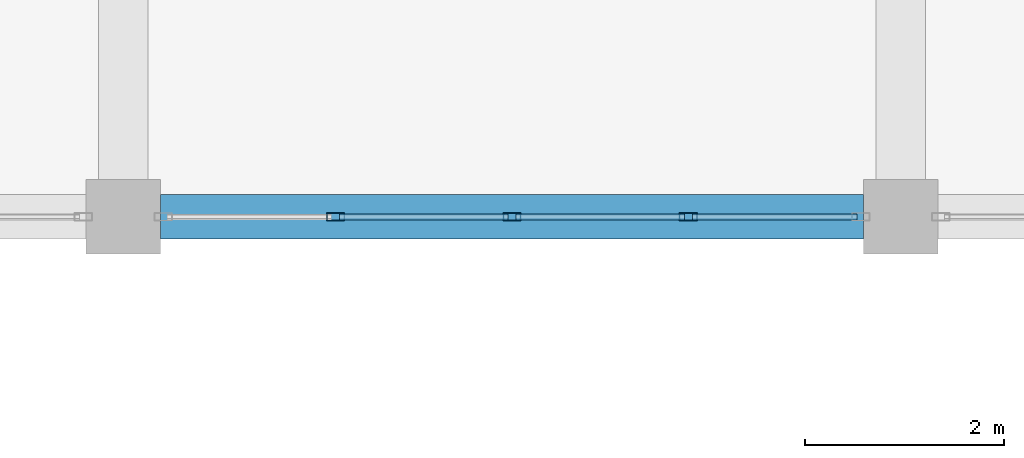
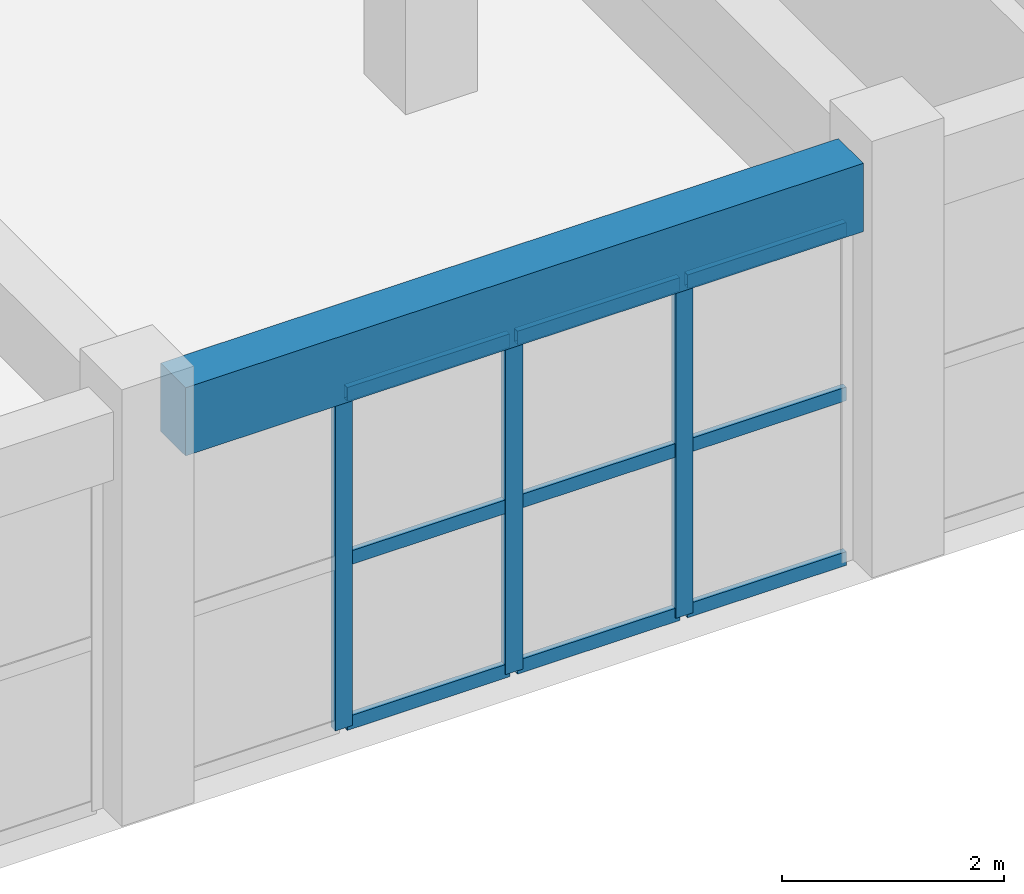
# One storey, part 78 of 175: 12 members, 1 beam, 1 element without a shape of its own.
"""IFC4 building model written with IfcOpenShell, lengths in metres."""

from ifc_helpers import new_model, si_unit, direction, frame, origin, origin_2d, place, context, subcontext, project, spatial, rectangle, hollow_rectangle, extrude, material, layer, layer_set, material_profile, profile_set, type_object, element, aggregate, save


model = new_model("IFC4")

# Units and contexts
model_context = context("Model", 3, precision=1e-05, world=origin(), true_north=direction((0.0, 1.0)))
body_context = subcontext(model_context, "Body", "Model", "MODEL_VIEW")
ifc_project = project(units=[si_unit("LENGTHUNIT", "METRE"), si_unit("AREAUNIT", "SQUARE_METRE"), si_unit("VOLUMEUNIT", "CUBIC_METRE"), si_unit("PLANEANGLEUNIT", "RADIAN"), si_unit("MASSUNIT", "GRAM", prefix="KILO")], contexts=[model_context])

# Site, building, storey
site_placement = place(None, origin())
site = spatial("IfcSite", under=ifc_project, at=site_placement, CompositionType="ELEMENT")
building_placement = place(site_placement, origin())
building = spatial("IfcBuilding", under=site, at=building_placement, Name="Zizhar Promenade General Hospital", CompositionType="ELEMENT")
storey_placement = place(building_placement, frame((0.0, 0.0, 4.800048828125)))
storey = spatial("IfcBuildingStorey", under=building, at=storey_placement, Name="L01", CompositionType="ELEMENT", Elevation=4.800048828125)

# Beam
ifc_material_1 = material(Name="Concrete C35/45", Category="concrete")
ifc_material_profile_1 = material_profile(ifc_material_1, rectangle(XDim=0.449951171875, YDim=0.75, at=origin_2d()))
ifc_profile_set_1 = profile_set([ifc_material_profile_1], Name="Concrete C35/45")
beam_type = type_object("IfcBeamType", Name="BM-RC-450x750", PredefinedType="BEAM", material=ifc_profile_set_1)
beam_placement = place(storey_placement, frame((86.175048828125, 92.39990234375, 4.094970703125), z_axis=(1.0, 0.0, 0.0), x_axis=(0.0, 1.0, 0.0)))
element("IfcBeam", 1, at=beam_placement, inside=storey, type_object=beam_type, Name="Grid Beam X L01 (11-11)", PredefinedType="BEAM", context=body_context, shape_type="SweptSolid", body=[
    extrude(rectangle(XDim=0.449951171875, YDim=0.75, at=origin_2d()), origin(), (0.0, 0.0, 1.0), 7.050048828125),
])

# Curtain wall, members
ifc_material_2 = material(Name="Anodised aluminium 6063-T6 and low-E glass", Category="aluminium")
ifc_layer = layer(ifc_material_2, 0.159912109375)
ifc_layer_set = layer_set([ifc_layer], Name="Anodised aluminium 6063-T6 and low-E glass")
curtain_wall_type = type_object("IfcCurtainWallType", Name="CW-DT-MOD1", PredefinedType="NOTDEFINED", material=ifc_layer_set)
curtain_wall_placement = place(storey_placement, origin())
curtain_wall = element("IfcCurtainWall", 2, at=curtain_wall_placement, inside=storey, type_object=curtain_wall_type, Name="Garden Court North Surgical Glazing L01-11", PredefinedType="NOTDEFINED")
ifc_material_3 = material(Name="Anodised aluminium 6063-T6", Category="aluminium")
ifc_material_profile_2 = material_profile(ifc_material_3, hollow_rectangle(XDim=0.080078125, YDim=0.179931640625, WallThickness=0.0048828125, at=origin_2d()))
ifc_profile_set_2 = profile_set([ifc_material_profile_2], Name="Anodised aluminium 6063-T6")
member_type_1 = type_object("IfcMemberType", Name="CWM-ALU-180x80", PredefinedType="MULLION", material=ifc_profile_set_2)
member_1_placement = place(storey_placement, frame((91.469970703125, 92.39990234375, 0.0), z_axis=(0.0, 0.0, 1.0), x_axis=(0.0, -1.0, 0.0)))
member_1 = element("IfcMember", 3, at=member_1_placement, type_object=member_type_1, Name="CW-07 mullion 2", PredefinedType="MULLION", context=body_context, shape_type="SweptSolid", body=[
    extrude(hollow_rectangle(XDim=0.080078125, YDim=0.179931640625, WallThickness=0.0048828125, at=origin_2d()), origin(), (0.0, 0.0, 1.0), 3.679931640625),
])
member_2_placement = place(storey_placement, frame((89.699951171875, 92.39990234375, 0.0), z_axis=(0.0, 0.0, 1.0), x_axis=(0.0, -1.0, 0.0)))
member_2 = element("IfcMember", 4, at=member_2_placement, type_object=member_type_1, Name="CW-07 mullion 3", PredefinedType="MULLION", context=body_context, shape_type="SweptSolid", body=[
    extrude(hollow_rectangle(XDim=0.080078125, YDim=0.179931640625, WallThickness=0.0048828125, at=origin_2d()), origin(), (0.0, 0.0, 1.0), 3.679931640625),
])
member_3_placement = place(storey_placement, frame((87.929931640625, 92.39990234375, 0.0), z_axis=(0.0, 0.0, 1.0), x_axis=(0.0, -1.0, 0.0)))
member_3 = element("IfcMember", 5, at=member_3_placement, type_object=member_type_1, Name="CW-07 mullion 4", PredefinedType="MULLION", context=body_context, shape_type="SweptSolid", body=[
    extrude(hollow_rectangle(XDim=0.080078125, YDim=0.179931640625, WallThickness=0.0048828125, at=origin_2d()), origin(), (0.0, 0.0, 1.0), 3.679931640625),
])
ifc_material_4 = material(Name="Anodised aluminium 6063-T6", Category="aluminium")
ifc_material_profile_3 = material_profile(ifc_material_4, hollow_rectangle(XDim=0.06005859375, YDim=0.14990234375, WallThickness=0.00390625, at=origin_2d()))
ifc_profile_set_3 = profile_set([ifc_material_profile_3], Name="Anodised aluminium 6063-T6")
member_type_2 = type_object("IfcMemberType", Name="CWT-ALU-150x60", PredefinedType="USERDEFINED", material=ifc_profile_set_3)
member_4_placement = place(storey_placement, frame((93.159912109375, 92.39990234375, 0.030029296875), z_axis=(-1.0, 0.0, 0.0), x_axis=(0.0, -1.0, 0.0)))
member_4 = element("IfcMember", 6, at=member_4_placement, type_object=member_type_2, Name="CW-07 transom 1.1", ObjectType="TRANSOM", PredefinedType="USERDEFINED", context=body_context, shape_type="SweptSolid", body=[
    extrude(hollow_rectangle(XDim=0.06005859375, YDim=0.14990234375, WallThickness=0.00390625, at=origin_2d()), origin(), (0.0, 0.0, 1.0), 1.64990234375),
])
member_5_placement = place(storey_placement, frame((93.159912109375, 92.39990234375, 1.83984375), z_axis=(-1.0, 0.0, 0.0), x_axis=(0.0, -1.0, 0.0)))
member_5 = element("IfcMember", 7, at=member_5_placement, type_object=member_type_2, Name="CW-07 transom 1.2", ObjectType="TRANSOM", PredefinedType="USERDEFINED", context=body_context, shape_type="SweptSolid", body=[
    extrude(hollow_rectangle(XDim=0.06005859375, YDim=0.14990234375, WallThickness=0.00390625, at=origin_2d()), origin(), (0.0, 0.0, 1.0), 1.64990234375),
])
member_6_placement = place(storey_placement, frame((93.159912109375, 92.39990234375, 3.64990234375), z_axis=(-1.0, 0.0, 0.0), x_axis=(0.0, -1.0, 0.0)))
member_6 = element("IfcMember", 8, at=member_6_placement, type_object=member_type_2, Name="CW-07 transom 1.3", ObjectType="TRANSOM", PredefinedType="USERDEFINED", context=body_context, shape_type="SweptSolid", body=[
    extrude(hollow_rectangle(XDim=0.06005859375, YDim=0.14990234375, WallThickness=0.00390625, at=origin_2d()), origin(), (0.0, 0.0, 1.0), 1.64990234375),
])
member_7_placement = place(storey_placement, frame((91.429931640625, 92.39990234375, 0.030029296875), z_axis=(-1.0, 0.0, 0.0), x_axis=(0.0, -1.0, 0.0)))
member_7 = element("IfcMember", 9, at=member_7_placement, type_object=member_type_2, Name="CW-07 transom 2.1", ObjectType="TRANSOM", PredefinedType="USERDEFINED", context=body_context, shape_type="SweptSolid", body=[
    extrude(hollow_rectangle(XDim=0.06005859375, YDim=0.14990234375, WallThickness=0.00390625, at=origin_2d()), origin(), (0.0, 0.0, 1.0), 1.68994140625),
])
member_8_placement = place(storey_placement, frame((91.429931640625, 92.39990234375, 1.83984375), z_axis=(-1.0, 0.0, 0.0), x_axis=(0.0, -1.0, 0.0)))
member_8 = element("IfcMember", 10, at=member_8_placement, type_object=member_type_2, Name="CW-07 transom 2.2", ObjectType="TRANSOM", PredefinedType="USERDEFINED", context=body_context, shape_type="SweptSolid", body=[
    extrude(hollow_rectangle(XDim=0.06005859375, YDim=0.14990234375, WallThickness=0.00390625, at=origin_2d()), origin(), (0.0, 0.0, 1.0), 1.68994140625),
])
member_9_placement = place(storey_placement, frame((91.429931640625, 92.39990234375, 3.64990234375), z_axis=(-1.0, 0.0, 0.0), x_axis=(0.0, -1.0, 0.0)))
member_9 = element("IfcMember", 11, at=member_9_placement, type_object=member_type_2, Name="CW-07 transom 2.3", ObjectType="TRANSOM", PredefinedType="USERDEFINED", context=body_context, shape_type="SweptSolid", body=[
    extrude(hollow_rectangle(XDim=0.06005859375, YDim=0.14990234375, WallThickness=0.00390625, at=origin_2d()), origin(), (0.0, 0.0, 1.0), 1.68994140625),
])
member_10_placement = place(storey_placement, frame((89.659912109375, 92.39990234375, 0.030029296875), z_axis=(-1.0, 0.0, 0.0), x_axis=(0.0, -1.0, 0.0)))
member_10 = element("IfcMember", 12, at=member_10_placement, type_object=member_type_2, Name="CW-07 transom 3.1", ObjectType="TRANSOM", PredefinedType="USERDEFINED", context=body_context, shape_type="SweptSolid", body=[
    extrude(hollow_rectangle(XDim=0.06005859375, YDim=0.14990234375, WallThickness=0.00390625, at=origin_2d()), origin(), (0.0, 0.0, 1.0), 1.68994140625),
])
member_11_placement = place(storey_placement, frame((89.659912109375, 92.39990234375, 1.83984375), z_axis=(-1.0, 0.0, 0.0), x_axis=(0.0, -1.0, 0.0)))
member_11 = element("IfcMember", 13, at=member_11_placement, type_object=member_type_2, Name="CW-07 transom 3.2", ObjectType="TRANSOM", PredefinedType="USERDEFINED", context=body_context, shape_type="SweptSolid", body=[
    extrude(hollow_rectangle(XDim=0.06005859375, YDim=0.14990234375, WallThickness=0.00390625, at=origin_2d()), origin(), (0.0, 0.0, 1.0), 1.68994140625),
])
member_12_placement = place(storey_placement, frame((89.659912109375, 92.39990234375, 3.64990234375), z_axis=(-1.0, 0.0, 0.0), x_axis=(0.0, -1.0, 0.0)))
member_12 = element("IfcMember", 14, at=member_12_placement, type_object=member_type_2, Name="CW-07 transom 3.3", ObjectType="TRANSOM", PredefinedType="USERDEFINED", context=body_context, shape_type="SweptSolid", body=[
    extrude(hollow_rectangle(XDim=0.06005859375, YDim=0.14990234375, WallThickness=0.00390625, at=origin_2d()), origin(), (0.0, 0.0, 1.0), 1.68994140625),
])
aggregate(curtain_wall, [member_1, member_2, member_3, member_4, member_5, member_6, member_7, member_8, member_9, member_10, member_11, member_12])

save(model, "model.ifc")
